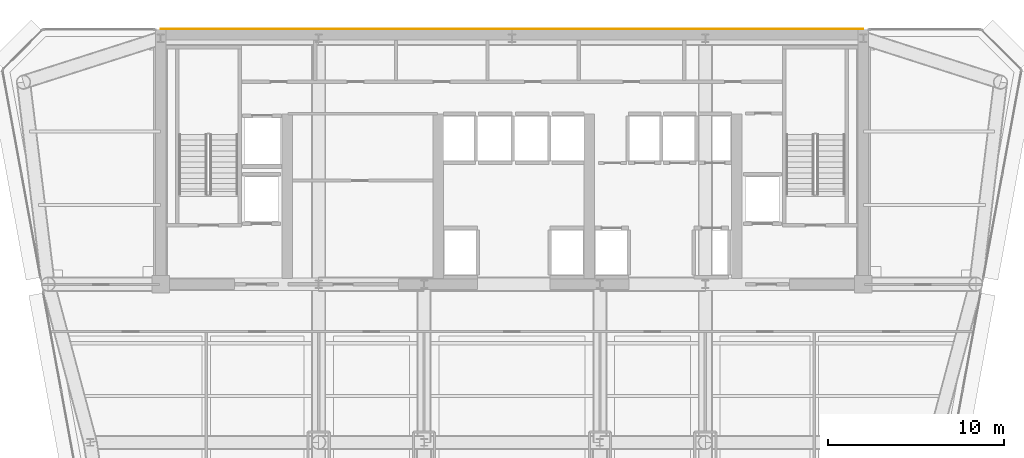
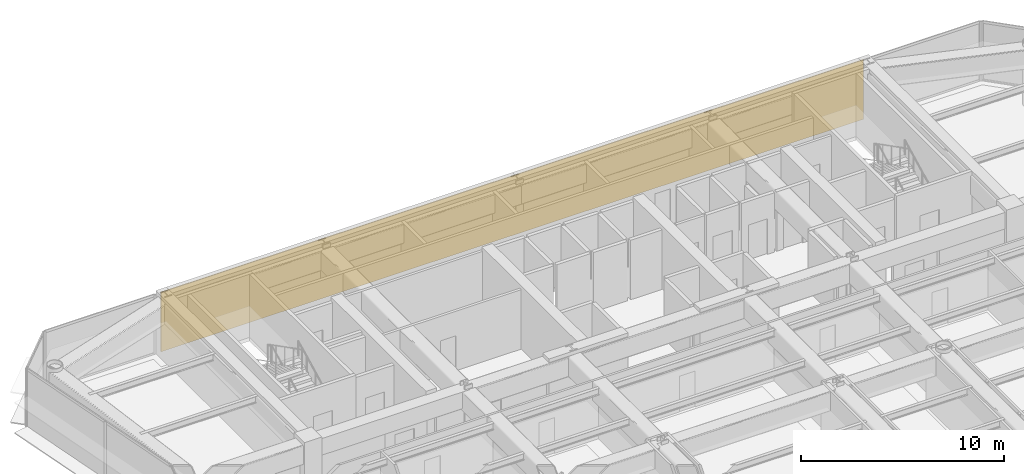
# One storey, part 15 of 16: 1 covering.
"""IFC4 building model written with IfcOpenShell, lengths in metres."""

from ifc_helpers import new_model, si_unit, direction, frame, origin, place, context, subcontext, project, spatial, polyline, outline, extrude, material, layer, layer_set, type_object, element, save


model = new_model("IFC4")

# Units and contexts
model_context = context("Model", 3, precision=1e-05, world=origin(), true_north=direction((0.0, 1.0)))
body_context = subcontext(model_context, "Body", "Model", "MODEL_VIEW")
ifc_project = project(units=[si_unit("LENGTHUNIT", "METRE"), si_unit("AREAUNIT", "SQUARE_METRE"), si_unit("VOLUMEUNIT", "CUBIC_METRE"), si_unit("PLANEANGLEUNIT", "RADIAN"), si_unit("MASSUNIT", "GRAM", prefix="KILO")], contexts=[model_context])

# Site, building, storey
site_placement = place(None, origin())
site = spatial("IfcSite", under=ifc_project, at=site_placement, CompositionType="ELEMENT")
building_placement = place(site_placement, origin())
building = spatial("IfcBuilding", under=site, at=building_placement, Name="Vaeldorn Concourse Tower", CompositionType="ELEMENT")
storey_placement = place(building_placement, frame((0.0, 0.0, 203.199951171875)))
storey = spatial("IfcBuildingStorey", under=building, at=storey_placement, Name="L52", CompositionType="ELEMENT", Elevation=203.199951171875)

# Covering
ifc_material = material(Name="Anodised Bronze Aluminium", Category="aluminium")
ifc_layer = layer(ifc_material, 0.050048828125)
ifc_layer_set = layer_set([ifc_layer], Name="Anodised Bronze Aluminium")
covering_type = type_object("IfcCoveringType", Name="COV-CLAD-BRONZE", PredefinedType="CLADDING", material=ifc_layer_set)
covering_placement = place(storey_placement, origin())
element("IfcCovering", 1, at=covering_placement, inside=storey, type_object=covering_type, Name="Rear Core Bronze Spandrel Cladding L52", PredefinedType="CLADDING", context=body_context, shape_type="SweptSolid", body=[
    extrude(outline(polyline([(14.0, 51.0), (54.0, 51.0), (54.0, 51.050048828125), (14.0, 51.050048828125), (14.0, 51.0)])), origin(), (0.0, 0.0, 1.0), 3.580078125),
])

save(model, "model.ifc")
